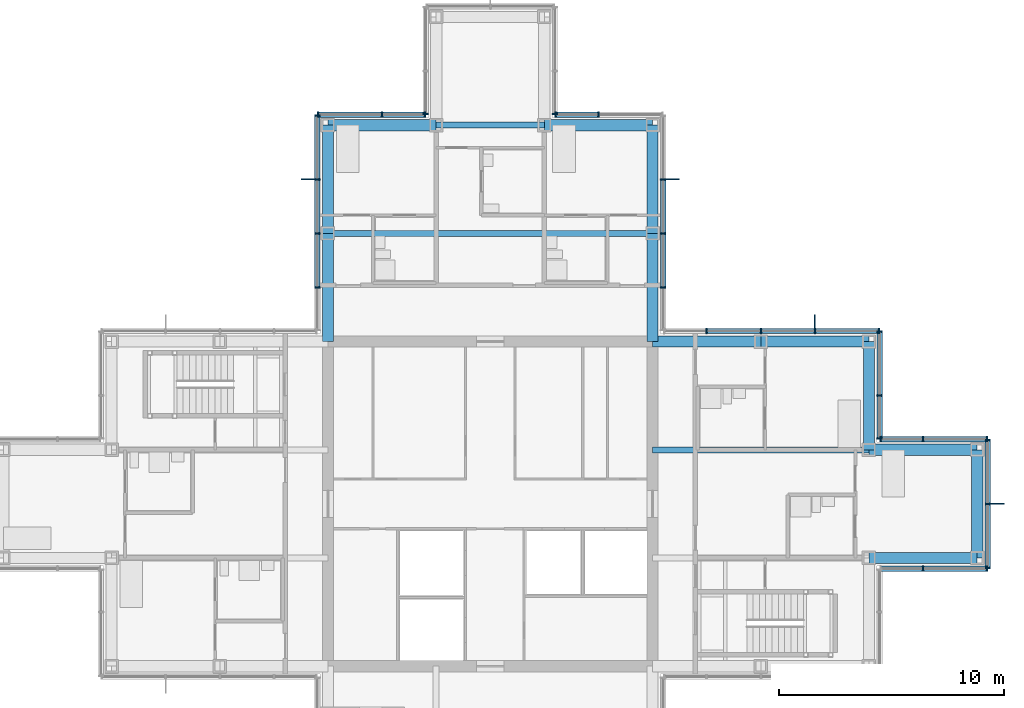
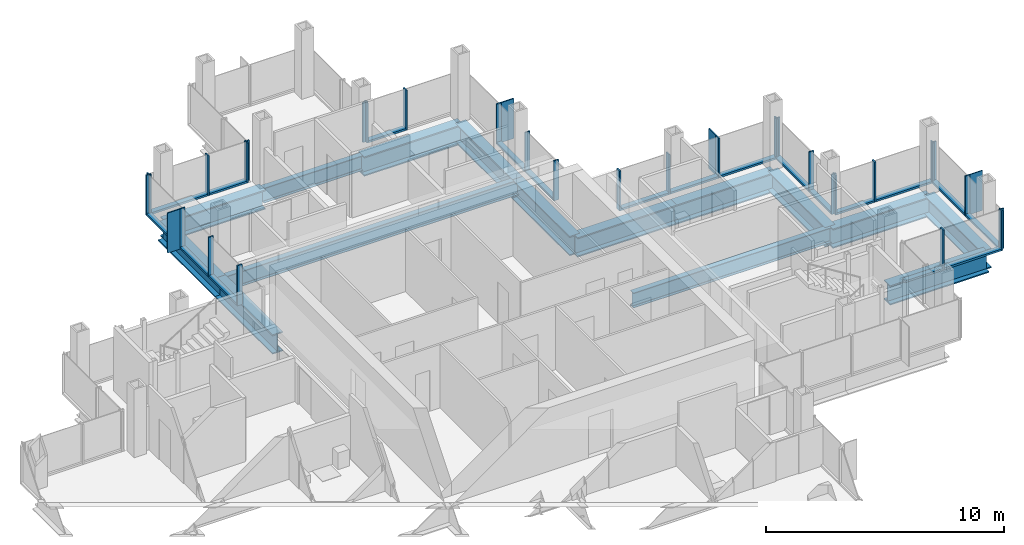
# One storey, part 8 of 17: 52 members, 15 beams, 11 elements without a shape of their own.
"""IFC4 building model written with IfcOpenShell, lengths in metres."""

from ifc_helpers import new_model, si_unit, direction, frame, origin, origin_2d, place, context, subcontext, project, spatial, rectangle, i_section, extrude, material, material_profile, profile_set, type_object, element, aggregate, save


model = new_model("IFC4")

# Units and contexts
model_context = context("Model", 3, precision=1e-05, world=origin(), true_north=direction((0.0, 1.0)))
body_context = subcontext(model_context, "Body", "Model", "MODEL_VIEW")
ifc_project = project(units=[si_unit("LENGTHUNIT", "METRE"), si_unit("AREAUNIT", "SQUARE_METRE"), si_unit("VOLUMEUNIT", "CUBIC_METRE"), si_unit("PLANEANGLEUNIT", "RADIAN"), si_unit("MASSUNIT", "GRAM", prefix="KILO")], contexts=[model_context])

# Site, building, storey
site_placement = place(None, origin())
site = spatial("IfcSite", under=ifc_project, at=site_placement, CompositionType="ELEMENT")
building_placement = place(site_placement, origin())
building = spatial("IfcBuilding", under=site, at=building_placement, Name="Kvirike Care Tower", CompositionType="ELEMENT")
storey_placement = place(building_placement, frame((0.0, 0.0, 186.5)))
storey = spatial("IfcBuildingStorey", under=building, at=storey_placement, Name="L51", CompositionType="ELEMENT", Elevation=186.5)

# Curtain wall, member
ifc_material_1 = material(Name="Anodised aluminium stick system", Category="aluminium")
curtain_wall_type = type_object("IfcCurtainWallType", Name="CW-C STICK CURTAIN WALL", PredefinedType="NOTDEFINED", material=ifc_material_1)
curtain_wall_1_placement = place(storey_placement, origin())
curtain_wall_1 = element("IfcCurtainWall", 1, at=curtain_wall_1_placement, inside=storey, type_object=curtain_wall_type, Name="Curtain wall L51 face 4", PredefinedType="NOTDEFINED")
ifc_material_2 = material(Name="Bronze anodised aluminium fin", Category="aluminium")
ifc_material_profile_1 = material_profile(ifc_material_2, rectangle(XDim=0.050048828125, YDim=0.60009765625, at=origin_2d()), Name="BRONZE FIN 600")
ifc_profile_set_1 = profile_set([ifc_material_profile_1], Name="Bronze anodised aluminium fin")
member_type_1 = type_object("IfcMemberType", Name="BRONZE FIN 600", PredefinedType="USERDEFINED", material=ifc_profile_set_1)
member_1_placement = place(storey_placement, frame((44.090087890625, 36.0, 0.0), z_axis=(0.0, 0.0, 1.0), x_axis=(0.0, 1.0, 0.0)))
member_1 = element("IfcMember", 2, at=member_1_placement, type_object=member_type_1, Name="Bronze fin L51 face 4.2", ObjectType="FIN", PredefinedType="USERDEFINED", context=body_context, shape_type="SweptSolid", body=[
    extrude(rectangle(XDim=0.050048828125, YDim=0.60009765625, at=origin_2d()), origin(), (0.0, 0.0, 1.0), 2.050048828125),
])

curtain_wall_2_placement = place(storey_placement, origin())
curtain_wall_2 = element("IfcCurtainWall", 3, at=curtain_wall_2_placement, inside=storey, type_object=curtain_wall_type, Name="Curtain wall L51 face 7", PredefinedType="NOTDEFINED")
member_2_placement = place(storey_placement, frame((36.0, 44.090087890625, 0.0), z_axis=(0.0, 0.0, 1.0), x_axis=(-1.0, 0.0, 0.0)))
member_2 = element("IfcMember", 4, at=member_2_placement, type_object=member_type_1, Name="Bronze fin L51 face 7.2", ObjectType="FIN", PredefinedType="USERDEFINED", context=body_context, shape_type="SweptSolid", body=[
    extrude(rectangle(XDim=0.050048828125, YDim=0.60009765625, at=origin_2d()), origin(), (0.0, 0.0, 1.0), 2.050048828125),
])

curtain_wall_3_placement = place(storey_placement, origin())
curtain_wall_3 = element("IfcCurtainWall", 5, at=curtain_wall_3_placement, inside=storey, type_object=curtain_wall_type, Name="Curtain wall L51 face 8", PredefinedType="NOTDEFINED")
member_3_placement = place(storey_placement, frame((29.68994140625, 50.39990234375, 0.0), z_axis=(0.0, 0.0, 1.0), x_axis=(0.0, 1.0, 0.0)))
member_3 = element("IfcMember", 6, at=member_3_placement, type_object=member_type_1, Name="Bronze fin L51 face 8.4", ObjectType="FIN", PredefinedType="USERDEFINED", context=body_context, shape_type="SweptSolid", body=[
    extrude(rectangle(XDim=0.050048828125, YDim=0.60009765625, at=origin_2d()), origin(), (0.0, 0.0, 1.0), 2.050048828125),
])

curtain_wall_4_placement = place(storey_placement, origin())
curtain_wall_4 = element("IfcCurtainWall", 7, at=curtain_wall_4_placement, inside=storey, type_object=curtain_wall_type, Name="Curtain wall L51 face 14", PredefinedType="NOTDEFINED")
member_4_placement = place(storey_placement, frame((13.510009765625, 50.39990234375, 0.0), z_axis=(0.0, 0.0, 1.0), x_axis=(0.0, -1.0, 0.0)))
member_4 = element("IfcMember", 8, at=member_4_placement, type_object=member_type_1, Name="Bronze fin L51 face 14.2", ObjectType="FIN", PredefinedType="USERDEFINED", context=body_context, shape_type="SweptSolid", body=[
    extrude(rectangle(XDim=0.050048828125, YDim=0.60009765625, at=origin_2d()), origin(), (0.0, 0.0, 1.0), 2.050048828125),
])

# Curtain wall, members
curtain_wall_5_placement = place(storey_placement, origin())
curtain_wall_5 = element("IfcCurtainWall", 9, at=curtain_wall_5_placement, inside=storey, type_object=curtain_wall_type, Name="Curtain wall L51 face 3", PredefinedType="NOTDEFINED")
ifc_material_3 = material(Name="Bronze anodised aluminium mullion", Category="aluminium")
ifc_material_profile_2 = material_profile(ifc_material_3, rectangle(XDim=0.06494140625, YDim=0.239990234375, at=origin_2d()), Name="CW-C MULLION 65x240")
ifc_profile_set_2 = profile_set([ifc_material_profile_2], Name="Bronze anodised aluminium mullion")
member_type_2 = type_object("IfcMemberType", Name="CW-C MULLION 65x240", PredefinedType="MULLION", material=ifc_profile_set_2)
member_5_placement = place(storey_placement, frame((40.800048828125, 33.1298828125, 0.0), z_axis=(0.0, 0.0, 1.0), x_axis=(1.0, 0.0, 0.0)))
member_5 = element("IfcMember", 10, at=member_5_placement, type_object=member_type_2, Name="CW-C mullion L51 face 3.2", PredefinedType="MULLION", context=body_context, shape_type="SweptSolid", body=[
    extrude(rectangle(XDim=0.06494140625, YDim=0.239990234375, at=origin_2d()), origin(), (0.0, 0.0, 1.0), 2.050048828125),
])
member_6_placement = place(storey_placement, frame((43.637451171875, 33.1298828125, 0.0), z_axis=(0.0, 0.0, 1.0), x_axis=(1.0, 0.0, 0.0)))
member_6 = element("IfcMember", 11, at=member_6_placement, type_object=member_type_2, Name="CW-C mullion L51 face 3.3", PredefinedType="MULLION", context=body_context, shape_type="SweptSolid", body=[
    extrude(rectangle(XDim=0.06494140625, YDim=0.239990234375, at=origin_2d()), origin(), (0.0, 0.0, 1.0), 2.050048828125),
])

# Member
member_7_placement = place(storey_placement, frame((43.669921875, 33.16259765625, 0.0), z_axis=(0.0, 0.0, 1.0), x_axis=(0.0, 1.0, 0.0)))
member_7 = element("IfcMember", 12, at=member_7_placement, type_object=member_type_2, Name="CW-C mullion L51 face 4.1", PredefinedType="MULLION", context=body_context, shape_type="SweptSolid", body=[
    extrude(rectangle(XDim=0.06494140625, YDim=0.239990234375, at=origin_2d()), origin(), (0.0, 0.0, 1.0), 2.050048828125),
])

member_8_placement = place(storey_placement, frame((43.669921875, 36.0, 0.0), z_axis=(0.0, 0.0, 1.0), x_axis=(0.0, 1.0, 0.0)))
member_8 = element("IfcMember", 13, at=member_8_placement, type_object=member_type_2, Name="CW-C mullion L51 face 4.2", PredefinedType="MULLION", context=body_context, shape_type="SweptSolid", body=[
    extrude(rectangle(XDim=0.06494140625, YDim=0.239990234375, at=origin_2d()), origin(), (0.0, 0.0, 1.0), 2.050048828125),
])

member_9_placement = place(storey_placement, frame((43.669921875, 38.83740234375, 0.0), z_axis=(0.0, 0.0, 1.0), x_axis=(0.0, 1.0, 0.0)))
member_9 = element("IfcMember", 14, at=member_9_placement, type_object=member_type_2, Name="CW-C mullion L51 face 4.3", PredefinedType="MULLION", context=body_context, shape_type="SweptSolid", body=[
    extrude(rectangle(XDim=0.06494140625, YDim=0.239990234375, at=origin_2d()), origin(), (0.0, 0.0, 1.0), 2.050048828125),
])

# Curtain wall, members
curtain_wall_6_placement = place(storey_placement, origin())
curtain_wall_6 = element("IfcCurtainWall", 15, at=curtain_wall_6_placement, inside=storey, type_object=curtain_wall_type, Name="Curtain wall L51 face 5", PredefinedType="NOTDEFINED")
member_10_placement = place(storey_placement, frame((43.637451171875, 38.8701171875, 0.0), z_axis=(0.0, 0.0, 1.0), x_axis=(-1.0, 0.0, 0.0)))
member_10 = element("IfcMember", 16, at=member_10_placement, type_object=member_type_2, Name="CW-C mullion L51 face 5.1", PredefinedType="MULLION", context=body_context, shape_type="SweptSolid", body=[
    extrude(rectangle(XDim=0.06494140625, YDim=0.239990234375, at=origin_2d()), origin(), (0.0, 0.0, 1.0), 2.050048828125),
])
member_11_placement = place(storey_placement, frame((40.800048828125, 38.8701171875, 0.0), z_axis=(0.0, 0.0, 1.0), x_axis=(-1.0, 0.0, 0.0)))
member_11 = element("IfcMember", 17, at=member_11_placement, type_object=member_type_2, Name="CW-C mullion L51 face 5.2", PredefinedType="MULLION", context=body_context, shape_type="SweptSolid", body=[
    extrude(rectangle(XDim=0.06494140625, YDim=0.239990234375, at=origin_2d()), origin(), (0.0, 0.0, 1.0), 2.050048828125),
])
member_12_placement = place(storey_placement, frame((38.902587890625, 38.8701171875, 0.0), z_axis=(0.0, 0.0, 1.0), x_axis=(-1.0, 0.0, 0.0)))
member_12 = element("IfcMember", 18, at=member_12_placement, type_object=member_type_2, Name="CW-C mullion L51 face 5.3", PredefinedType="MULLION", context=body_context, shape_type="SweptSolid", body=[
    extrude(rectangle(XDim=0.06494140625, YDim=0.239990234375, at=origin_2d()), origin(), (0.0, 0.0, 1.0), 2.050048828125),
])

curtain_wall_7_placement = place(storey_placement, origin())
curtain_wall_7 = element("IfcCurtainWall", 19, at=curtain_wall_7_placement, inside=storey, type_object=curtain_wall_type, Name="Curtain wall L51 face 6", PredefinedType="NOTDEFINED")
member_13_placement = place(storey_placement, frame((38.8701171875, 38.902587890625, 0.0), z_axis=(0.0, 0.0, 1.0), x_axis=(0.0, 1.0, 0.0)))
member_13 = element("IfcMember", 20, at=member_13_placement, type_object=member_type_2, Name="CW-C mullion L51 face 6.1", PredefinedType="MULLION", context=body_context, shape_type="SweptSolid", body=[
    extrude(rectangle(XDim=0.06494140625, YDim=0.239990234375, at=origin_2d()), origin(), (0.0, 0.0, 1.0), 2.050048828125),
])
member_14_placement = place(storey_placement, frame((38.8701171875, 40.800048828125, 0.0), z_axis=(0.0, 0.0, 1.0), x_axis=(0.0, 1.0, 0.0)))
member_14 = element("IfcMember", 21, at=member_14_placement, type_object=member_type_2, Name="CW-C mullion L51 face 6.2", PredefinedType="MULLION", context=body_context, shape_type="SweptSolid", body=[
    extrude(rectangle(XDim=0.06494140625, YDim=0.239990234375, at=origin_2d()), origin(), (0.0, 0.0, 1.0), 2.050048828125),
])
member_15_placement = place(storey_placement, frame((38.8701171875, 43.637451171875, 0.0), z_axis=(0.0, 0.0, 1.0), x_axis=(0.0, 1.0, 0.0)))
member_15 = element("IfcMember", 22, at=member_15_placement, type_object=member_type_2, Name="CW-C mullion L51 face 6.3", PredefinedType="MULLION", context=body_context, shape_type="SweptSolid", body=[
    extrude(rectangle(XDim=0.06494140625, YDim=0.239990234375, at=origin_2d()), origin(), (0.0, 0.0, 1.0), 2.050048828125),
])

# Member
member_16_placement = place(storey_placement, frame((38.83740234375, 43.669921875, 0.0), z_axis=(0.0, 0.0, 1.0), x_axis=(-1.0, 0.0, 0.0)))
member_16 = element("IfcMember", 23, at=member_16_placement, type_object=member_type_2, Name="CW-C mullion L51 face 7.1", PredefinedType="MULLION", context=body_context, shape_type="SweptSolid", body=[
    extrude(rectangle(XDim=0.06494140625, YDim=0.239990234375, at=origin_2d()), origin(), (0.0, 0.0, 1.0), 2.050048828125),
])

member_17_placement = place(storey_placement, frame((36.0, 43.669921875, 0.0), z_axis=(0.0, 0.0, 1.0), x_axis=(-1.0, 0.0, 0.0)))
member_17 = element("IfcMember", 24, at=member_17_placement, type_object=member_type_2, Name="CW-C mullion L51 face 7.2", PredefinedType="MULLION", context=body_context, shape_type="SweptSolid", body=[
    extrude(rectangle(XDim=0.06494140625, YDim=0.239990234375, at=origin_2d()), origin(), (0.0, 0.0, 1.0), 2.050048828125),
])

member_18_placement = place(storey_placement, frame((33.60009765625, 43.669921875, 0.0), z_axis=(0.0, 0.0, 1.0), x_axis=(-1.0, 0.0, 0.0)))
member_18 = element("IfcMember", 25, at=member_18_placement, type_object=member_type_2, Name="CW-C mullion L51 face 7.3", PredefinedType="MULLION", context=body_context, shape_type="SweptSolid", body=[
    extrude(rectangle(XDim=0.06494140625, YDim=0.239990234375, at=origin_2d()), origin(), (0.0, 0.0, 1.0), 2.050048828125),
])

member_19_placement = place(storey_placement, frame((31.199951171875, 43.669921875, 0.0), z_axis=(0.0, 0.0, 1.0), x_axis=(-1.0, 0.0, 0.0)))
member_19 = element("IfcMember", 26, at=member_19_placement, type_object=member_type_2, Name="CW-C mullion L51 face 7.4", PredefinedType="MULLION", context=body_context, shape_type="SweptSolid", body=[
    extrude(rectangle(XDim=0.06494140625, YDim=0.239990234375, at=origin_2d()), origin(), (0.0, 0.0, 1.0), 2.050048828125),
])

member_20_placement = place(storey_placement, frame((29.27001953125, 45.60009765625, 0.0), z_axis=(0.0, 0.0, 1.0), x_axis=(0.0, 1.0, 0.0)))
member_20 = element("IfcMember", 27, at=member_20_placement, type_object=member_type_2, Name="CW-C mullion L51 face 8.2", PredefinedType="MULLION", context=body_context, shape_type="SweptSolid", body=[
    extrude(rectangle(XDim=0.06494140625, YDim=0.239990234375, at=origin_2d()), origin(), (0.0, 0.0, 1.0), 2.050048828125),
])

member_21_placement = place(storey_placement, frame((29.27001953125, 48.0, 0.0), z_axis=(0.0, 0.0, 1.0), x_axis=(0.0, 1.0, 0.0)))
member_21 = element("IfcMember", 28, at=member_21_placement, type_object=member_type_2, Name="CW-C mullion L51 face 8.3", PredefinedType="MULLION", context=body_context, shape_type="SweptSolid", body=[
    extrude(rectangle(XDim=0.06494140625, YDim=0.239990234375, at=origin_2d()), origin(), (0.0, 0.0, 1.0), 2.050048828125),
])

member_22_placement = place(storey_placement, frame((29.27001953125, 50.39990234375, 0.0), z_axis=(0.0, 0.0, 1.0), x_axis=(0.0, 1.0, 0.0)))
member_22 = element("IfcMember", 29, at=member_22_placement, type_object=member_type_2, Name="CW-C mullion L51 face 8.4", PredefinedType="MULLION", context=body_context, shape_type="SweptSolid", body=[
    extrude(rectangle(XDim=0.06494140625, YDim=0.239990234375, at=origin_2d()), origin(), (0.0, 0.0, 1.0), 2.050048828125),
])

# Curtain wall, members
curtain_wall_8_placement = place(storey_placement, origin())
curtain_wall_8 = element("IfcCurtainWall", 30, at=curtain_wall_8_placement, inside=storey, type_object=curtain_wall_type, Name="Curtain wall L51 face 9", PredefinedType="NOTDEFINED")
member_23_placement = place(storey_placement, frame((26.39990234375, 53.27001953125, 0.0), z_axis=(0.0, 0.0, 1.0), x_axis=(-1.0, 0.0, 0.0)))
member_23 = element("IfcMember", 31, at=member_23_placement, type_object=member_type_2, Name="CW-C mullion L51 face 9.2", PredefinedType="MULLION", context=body_context, shape_type="SweptSolid", body=[
    extrude(rectangle(XDim=0.06494140625, YDim=0.239990234375, at=origin_2d()), origin(), (0.0, 0.0, 1.0), 2.050048828125),
])
member_24_placement = place(storey_placement, frame((24.50244140625, 53.27001953125, 0.0), z_axis=(0.0, 0.0, 1.0), x_axis=(-1.0, 0.0, 0.0)))
member_24 = element("IfcMember", 32, at=member_24_placement, type_object=member_type_2, Name="CW-C mullion L51 face 9.3", PredefinedType="MULLION", context=body_context, shape_type="SweptSolid", body=[
    extrude(rectangle(XDim=0.06494140625, YDim=0.239990234375, at=origin_2d()), origin(), (0.0, 0.0, 1.0), 2.050048828125),
])

# Curtain wall, member
curtain_wall_9_placement = place(storey_placement, origin())
curtain_wall_9 = element("IfcCurtainWall", 33, at=curtain_wall_9_placement, inside=storey, type_object=curtain_wall_type, Name="Curtain wall L51 face 10", PredefinedType="NOTDEFINED")
member_25_placement = place(storey_placement, frame((24.469970703125, 53.302490234375, 0.0), z_axis=(0.0, 0.0, 1.0), x_axis=(0.0, 1.0, 0.0)))
member_25 = element("IfcMember", 34, at=member_25_placement, type_object=member_type_2, Name="CW-C mullion L51 face 10.1", PredefinedType="MULLION", context=body_context, shape_type="SweptSolid", body=[
    extrude(rectangle(XDim=0.06494140625, YDim=0.239990234375, at=origin_2d()), origin(), (0.0, 0.0, 1.0), 2.050048828125),
])
aggregate(curtain_wall_9, [member_25])

curtain_wall_10_placement = place(storey_placement, origin())
curtain_wall_10 = element("IfcCurtainWall", 35, at=curtain_wall_10_placement, inside=storey, type_object=curtain_wall_type, Name="Curtain wall L51 face 12", PredefinedType="NOTDEFINED")
member_26_placement = place(storey_placement, frame((18.72998046875, 53.302490234375, 0.0), z_axis=(0.0, 0.0, 1.0), x_axis=(0.0, -1.0, 0.0)))
member_26 = element("IfcMember", 36, at=member_26_placement, type_object=member_type_2, Name="CW-C mullion L51 face 12.3", PredefinedType="MULLION", context=body_context, shape_type="SweptSolid", body=[
    extrude(rectangle(XDim=0.06494140625, YDim=0.239990234375, at=origin_2d()), origin(), (0.0, 0.0, 1.0), 2.050048828125),
])
aggregate(curtain_wall_10, [member_26])

# Curtain wall, members
curtain_wall_11_placement = place(storey_placement, origin())
curtain_wall_11 = element("IfcCurtainWall", 37, at=curtain_wall_11_placement, inside=storey, type_object=curtain_wall_type, Name="Curtain wall L51 face 13", PredefinedType="NOTDEFINED")
member_27_placement = place(storey_placement, frame((18.697509765625, 53.27001953125, 0.0), z_axis=(0.0, 0.0, 1.0), x_axis=(-1.0, 0.0, 0.0)))
member_27 = element("IfcMember", 38, at=member_27_placement, type_object=member_type_2, Name="CW-C mullion L51 face 13.1", PredefinedType="MULLION", context=body_context, shape_type="SweptSolid", body=[
    extrude(rectangle(XDim=0.06494140625, YDim=0.239990234375, at=origin_2d()), origin(), (0.0, 0.0, 1.0), 2.050048828125),
])
member_28_placement = place(storey_placement, frame((16.800048828125, 53.27001953125, 0.0), z_axis=(0.0, 0.0, 1.0), x_axis=(-1.0, 0.0, 0.0)))
member_28 = element("IfcMember", 39, at=member_28_placement, type_object=member_type_2, Name="CW-C mullion L51 face 13.2", PredefinedType="MULLION", context=body_context, shape_type="SweptSolid", body=[
    extrude(rectangle(XDim=0.06494140625, YDim=0.239990234375, at=origin_2d()), origin(), (0.0, 0.0, 1.0), 2.050048828125),
])
member_29_placement = place(storey_placement, frame((13.96240234375, 53.27001953125, 0.0), z_axis=(0.0, 0.0, 1.0), x_axis=(-1.0, 0.0, 0.0)))
member_29 = element("IfcMember", 40, at=member_29_placement, type_object=member_type_2, Name="CW-C mullion L51 face 13.3", PredefinedType="MULLION", context=body_context, shape_type="SweptSolid", body=[
    extrude(rectangle(XDim=0.06494140625, YDim=0.239990234375, at=origin_2d()), origin(), (0.0, 0.0, 1.0), 2.050048828125),
])

# Member
member_30_placement = place(storey_placement, frame((13.929931640625, 53.237548828125, 0.0), z_axis=(0.0, 0.0, 1.0), x_axis=(0.0, -1.0, 0.0)))
member_30 = element("IfcMember", 41, at=member_30_placement, type_object=member_type_2, Name="CW-C mullion L51 face 14.1", PredefinedType="MULLION", context=body_context, shape_type="SweptSolid", body=[
    extrude(rectangle(XDim=0.06494140625, YDim=0.239990234375, at=origin_2d()), origin(), (0.0, 0.0, 1.0), 2.050048828125),
])

member_31_placement = place(storey_placement, frame((13.929931640625, 50.39990234375, 0.0), z_axis=(0.0, 0.0, 1.0), x_axis=(0.0, -1.0, 0.0)))
member_31 = element("IfcMember", 42, at=member_31_placement, type_object=member_type_2, Name="CW-C mullion L51 face 14.2", PredefinedType="MULLION", context=body_context, shape_type="SweptSolid", body=[
    extrude(rectangle(XDim=0.06494140625, YDim=0.239990234375, at=origin_2d()), origin(), (0.0, 0.0, 1.0), 2.050048828125),
])

member_32_placement = place(storey_placement, frame((13.929931640625, 48.0, 0.0), z_axis=(0.0, 0.0, 1.0), x_axis=(0.0, -1.0, 0.0)))
member_32 = element("IfcMember", 43, at=member_32_placement, type_object=member_type_2, Name="CW-C mullion L51 face 14.3", PredefinedType="MULLION", context=body_context, shape_type="SweptSolid", body=[
    extrude(rectangle(XDim=0.06494140625, YDim=0.239990234375, at=origin_2d()), origin(), (0.0, 0.0, 1.0), 2.050048828125),
])

member_33_placement = place(storey_placement, frame((13.929931640625, 45.60009765625, 0.0), z_axis=(0.0, 0.0, 1.0), x_axis=(0.0, -1.0, 0.0)))
member_33 = element("IfcMember", 44, at=member_33_placement, type_object=member_type_2, Name="CW-C mullion L51 face 14.4", PredefinedType="MULLION", context=body_context, shape_type="SweptSolid", body=[
    extrude(rectangle(XDim=0.06494140625, YDim=0.239990234375, at=origin_2d()), origin(), (0.0, 0.0, 1.0), 2.050048828125),
])

ifc_material_4 = material(Name="Bronze anodised aluminium transom", Category="aluminium")
ifc_material_profile_3 = material_profile(ifc_material_4, rectangle(XDim=0.239990234375, YDim=0.10009765625, at=origin_2d()), Name="CW-C TRANSOM 240x100")
ifc_profile_set_3 = profile_set([ifc_material_profile_3], Name="Bronze anodised aluminium transom")
member_type_3 = type_object("IfcMemberType", Name="CW-C TRANSOM 240x100", PredefinedType="USERDEFINED", material=ifc_profile_set_3)
member_34_placement = place(storey_placement, frame((38.93505859375, 33.1298828125, 0.050048828125), z_axis=(1.0, 0.0, 0.0), x_axis=(0.0, 1.0, 0.0)))
member_34 = element("IfcMember", 45, at=member_34_placement, type_object=member_type_3, Name="CW-C sill transom L51 face 3.1", ObjectType="TRANSOM", PredefinedType="USERDEFINED", context=body_context, shape_type="SweptSolid", body=[
    extrude(rectangle(XDim=0.239990234375, YDim=0.10009765625, at=origin_2d()), origin(), (0.0, 0.0, 1.0), 1.83251953125),
])

member_35_placement = place(storey_placement, frame((40.83251953125, 33.1298828125, 0.050048828125), z_axis=(1.0, 0.0, 0.0), x_axis=(0.0, 1.0, 0.0)))
member_35 = element("IfcMember", 46, at=member_35_placement, type_object=member_type_3, Name="CW-C sill transom L51 face 3.2", ObjectType="TRANSOM", PredefinedType="USERDEFINED", context=body_context, shape_type="SweptSolid", body=[
    extrude(rectangle(XDim=0.239990234375, YDim=0.10009765625, at=origin_2d()), origin(), (0.0, 0.0, 1.0), 2.7724609375),
])

aggregate(curtain_wall_5, [member_5, member_6, member_34, member_35])

member_36_placement = place(storey_placement, frame((43.669921875, 33.195068359375, 0.050048828125), z_axis=(0.0, 1.0, 0.0), x_axis=(-1.0, 0.0, 0.0)))
member_36 = element("IfcMember", 47, at=member_36_placement, type_object=member_type_3, Name="CW-C sill transom L51 face 4.1", ObjectType="TRANSOM", PredefinedType="USERDEFINED", context=body_context, shape_type="SweptSolid", body=[
    extrude(rectangle(XDim=0.239990234375, YDim=0.10009765625, at=origin_2d()), origin(), (0.0, 0.0, 1.0), 2.7724609375),
])

member_37_placement = place(storey_placement, frame((43.669921875, 36.032470703125, 0.050048828125), z_axis=(0.0, 1.0, 0.0), x_axis=(-1.0, 0.0, 0.0)))
member_37 = element("IfcMember", 48, at=member_37_placement, type_object=member_type_3, Name="CW-C sill transom L51 face 4.2", ObjectType="TRANSOM", PredefinedType="USERDEFINED", context=body_context, shape_type="SweptSolid", body=[
    extrude(rectangle(XDim=0.239990234375, YDim=0.10009765625, at=origin_2d()), origin(), (0.0, 0.0, 1.0), 2.7724609375),
])

aggregate(curtain_wall_1, [member_7, member_8, member_1, member_9, member_36, member_37])

member_38_placement = place(storey_placement, frame((43.60498046875, 38.8701171875, 0.050048828125), z_axis=(-1.0, 0.0, 0.0), x_axis=(0.0, -1.0, 0.0)))
member_38 = element("IfcMember", 49, at=member_38_placement, type_object=member_type_3, Name="CW-C sill transom L51 face 5.1", ObjectType="TRANSOM", PredefinedType="USERDEFINED", context=body_context, shape_type="SweptSolid", body=[
    extrude(rectangle(XDim=0.239990234375, YDim=0.10009765625, at=origin_2d()), origin(), (0.0, 0.0, 1.0), 2.7724609375),
])

member_39_placement = place(storey_placement, frame((40.767578125, 38.8701171875, 0.050048828125), z_axis=(-1.0, 0.0, 0.0), x_axis=(0.0, -1.0, 0.0)))
member_39 = element("IfcMember", 50, at=member_39_placement, type_object=member_type_3, Name="CW-C sill transom L51 face 5.2", ObjectType="TRANSOM", PredefinedType="USERDEFINED", context=body_context, shape_type="SweptSolid", body=[
    extrude(rectangle(XDim=0.239990234375, YDim=0.10009765625, at=origin_2d()), origin(), (0.0, 0.0, 1.0), 1.83251953125),
])

aggregate(curtain_wall_6, [member_10, member_11, member_12, member_38, member_39])

member_40_placement = place(storey_placement, frame((38.8701171875, 38.93505859375, 0.050048828125), z_axis=(0.0, 1.0, 0.0), x_axis=(-1.0, 0.0, 0.0)))
member_40 = element("IfcMember", 51, at=member_40_placement, type_object=member_type_3, Name="CW-C sill transom L51 face 6.1", ObjectType="TRANSOM", PredefinedType="USERDEFINED", context=body_context, shape_type="SweptSolid", body=[
    extrude(rectangle(XDim=0.239990234375, YDim=0.10009765625, at=origin_2d()), origin(), (0.0, 0.0, 1.0), 1.83251953125),
])

member_41_placement = place(storey_placement, frame((38.8701171875, 40.83251953125, 0.050048828125), z_axis=(0.0, 1.0, 0.0), x_axis=(-1.0, 0.0, 0.0)))
member_41 = element("IfcMember", 52, at=member_41_placement, type_object=member_type_3, Name="CW-C sill transom L51 face 6.2", ObjectType="TRANSOM", PredefinedType="USERDEFINED", context=body_context, shape_type="SweptSolid", body=[
    extrude(rectangle(XDim=0.239990234375, YDim=0.10009765625, at=origin_2d()), origin(), (0.0, 0.0, 1.0), 2.7724609375),
])

aggregate(curtain_wall_7, [member_13, member_14, member_15, member_40, member_41])

member_42_placement = place(storey_placement, frame((38.804931640625, 43.669921875, 0.050048828125), z_axis=(-1.0, 0.0, 0.0), x_axis=(0.0, -1.0, 0.0)))
member_42 = element("IfcMember", 53, at=member_42_placement, type_object=member_type_3, Name="CW-C sill transom L51 face 7.1", ObjectType="TRANSOM", PredefinedType="USERDEFINED", context=body_context, shape_type="SweptSolid", body=[
    extrude(rectangle(XDim=0.239990234375, YDim=0.10009765625, at=origin_2d()), origin(), (0.0, 0.0, 1.0), 2.7724609375),
])

member_43_placement = place(storey_placement, frame((35.967529296875, 43.669921875, 0.050048828125), z_axis=(-1.0, 0.0, 0.0), x_axis=(0.0, -1.0, 0.0)))
member_43 = element("IfcMember", 54, at=member_43_placement, type_object=member_type_3, Name="CW-C sill transom L51 face 7.2", ObjectType="TRANSOM", PredefinedType="USERDEFINED", context=body_context, shape_type="SweptSolid", body=[
    extrude(rectangle(XDim=0.239990234375, YDim=0.10009765625, at=origin_2d()), origin(), (0.0, 0.0, 1.0), 2.3349609375),
])

member_44_placement = place(storey_placement, frame((33.5673828125, 43.669921875, 0.050048828125), z_axis=(-1.0, 0.0, 0.0), x_axis=(0.0, -1.0, 0.0)))
member_44 = element("IfcMember", 55, at=member_44_placement, type_object=member_type_3, Name="CW-C sill transom L51 face 7.3", ObjectType="TRANSOM", PredefinedType="USERDEFINED", context=body_context, shape_type="SweptSolid", body=[
    extrude(rectangle(XDim=0.239990234375, YDim=0.10009765625, at=origin_2d()), origin(), (0.0, 0.0, 1.0), 2.3349609375),
])

aggregate(curtain_wall_2, [member_16, member_17, member_2, member_18, member_19, member_42, member_43, member_44])

member_45_placement = place(storey_placement, frame((29.27001953125, 45.632568359375, 0.050048828125), z_axis=(0.0, 1.0, 0.0), x_axis=(-1.0, 0.0, 0.0)))
member_45 = element("IfcMember", 56, at=member_45_placement, type_object=member_type_3, Name="CW-C sill transom L51 face 8.2", ObjectType="TRANSOM", PredefinedType="USERDEFINED", context=body_context, shape_type="SweptSolid", body=[
    extrude(rectangle(XDim=0.239990234375, YDim=0.10009765625, at=origin_2d()), origin(), (0.0, 0.0, 1.0), 2.3349609375),
])

member_46_placement = place(storey_placement, frame((29.27001953125, 48.032470703125, 0.050048828125), z_axis=(0.0, 1.0, 0.0), x_axis=(-1.0, 0.0, 0.0)))
member_46 = element("IfcMember", 57, at=member_46_placement, type_object=member_type_3, Name="CW-C sill transom L51 face 8.3", ObjectType="TRANSOM", PredefinedType="USERDEFINED", context=body_context, shape_type="SweptSolid", body=[
    extrude(rectangle(XDim=0.239990234375, YDim=0.10009765625, at=origin_2d()), origin(), (0.0, 0.0, 1.0), 2.3349609375),
])

aggregate(curtain_wall_3, [member_20, member_21, member_22, member_3, member_45, member_46])

member_47_placement = place(storey_placement, frame((26.367431640625, 53.27001953125, 0.050048828125), z_axis=(-1.0, 0.0, 0.0), x_axis=(0.0, -1.0, 0.0)))
member_47 = element("IfcMember", 58, at=member_47_placement, type_object=member_type_3, Name="CW-C sill transom L51 face 9.2", ObjectType="TRANSOM", PredefinedType="USERDEFINED", context=body_context, shape_type="SweptSolid", body=[
    extrude(rectangle(XDim=0.239990234375, YDim=0.10009765625, at=origin_2d()), origin(), (0.0, 0.0, 1.0), 1.83251953125),
])

aggregate(curtain_wall_8, [member_23, member_24, member_47])

member_48_placement = place(storey_placement, frame((18.6650390625, 53.27001953125, 0.050048828125), z_axis=(-1.0, 0.0, 0.0), x_axis=(0.0, -1.0, 0.0)))
member_48 = element("IfcMember", 59, at=member_48_placement, type_object=member_type_3, Name="CW-C sill transom L51 face 13.1", ObjectType="TRANSOM", PredefinedType="USERDEFINED", context=body_context, shape_type="SweptSolid", body=[
    extrude(rectangle(XDim=0.239990234375, YDim=0.10009765625, at=origin_2d()), origin(), (0.0, 0.0, 1.0), 1.83251953125),
])

member_49_placement = place(storey_placement, frame((16.767578125, 53.27001953125, 0.050048828125), z_axis=(-1.0, 0.0, 0.0), x_axis=(0.0, -1.0, 0.0)))
member_49 = element("IfcMember", 60, at=member_49_placement, type_object=member_type_3, Name="CW-C sill transom L51 face 13.2", ObjectType="TRANSOM", PredefinedType="USERDEFINED", context=body_context, shape_type="SweptSolid", body=[
    extrude(rectangle(XDim=0.239990234375, YDim=0.10009765625, at=origin_2d()), origin(), (0.0, 0.0, 1.0), 2.7724609375),
])

aggregate(curtain_wall_11, [member_27, member_28, member_29, member_48, member_49])

member_50_placement = place(storey_placement, frame((13.929931640625, 53.205078125, 0.050048828125), z_axis=(0.0, -1.0, 0.0), x_axis=(1.0, 0.0, 0.0)))
member_50 = element("IfcMember", 61, at=member_50_placement, type_object=member_type_3, Name="CW-C sill transom L51 face 14.1", ObjectType="TRANSOM", PredefinedType="USERDEFINED", context=body_context, shape_type="SweptSolid", body=[
    extrude(rectangle(XDim=0.239990234375, YDim=0.10009765625, at=origin_2d()), origin(), (0.0, 0.0, 1.0), 2.7724609375),
])

member_51_placement = place(storey_placement, frame((13.929931640625, 50.367431640625, 0.050048828125), z_axis=(0.0, -1.0, 0.0), x_axis=(1.0, 0.0, 0.0)))
member_51 = element("IfcMember", 62, at=member_51_placement, type_object=member_type_3, Name="CW-C sill transom L51 face 14.2", ObjectType="TRANSOM", PredefinedType="USERDEFINED", context=body_context, shape_type="SweptSolid", body=[
    extrude(rectangle(XDim=0.239990234375, YDim=0.10009765625, at=origin_2d()), origin(), (0.0, 0.0, 1.0), 2.3349609375),
])

member_52_placement = place(storey_placement, frame((13.929931640625, 47.967529296875, 0.050048828125), z_axis=(0.0, -1.0, 0.0), x_axis=(1.0, 0.0, 0.0)))
member_52 = element("IfcMember", 63, at=member_52_placement, type_object=member_type_3, Name="CW-C sill transom L51 face 14.3", ObjectType="TRANSOM", PredefinedType="USERDEFINED", context=body_context, shape_type="SweptSolid", body=[
    extrude(rectangle(XDim=0.239990234375, YDim=0.10009765625, at=origin_2d()), origin(), (0.0, 0.0, 1.0), 2.3349609375),
])

aggregate(curtain_wall_4, [member_30, member_31, member_4, member_32, member_33, member_50, member_51, member_52])

# Beams
ifc_material_5 = material(Name="Steel S355", Category="steel")
ifc_material_profile_4 = material_profile(ifc_material_5, i_section(OverallWidth=0.26806640625, OverallDepth=0.77001953125, WebThickness=0.015625, FlangeThickness=0.025390625, FilletRadius=0.01708984375, at=origin_2d()), Name="IPE 750x196")
ifc_profile_set_4 = profile_set([ifc_material_profile_4], Name="Steel S355")
beam_type_1 = type_object("IfcBeamType", Name="FLOOR BEAM IPE 750x196", PredefinedType="BEAM", material=ifc_profile_set_4)
beam_1_placement = place(storey_placement, frame((28.800048828125, 38.39990234375, -0.554931640625), z_axis=(1.0, 0.0, 0.0), x_axis=(0.0, 1.0, 0.0)))
element("IfcBeam", 64, at=beam_1_placement, inside=storey, type_object=beam_type_1, Name="Floor Beam J9-J11 L51", PredefinedType="BEAM", context=body_context, shape_type="SweptSolid", body=[
    extrude(i_section(OverallWidth=0.26806640625, OverallDepth=0.77001953125, WebThickness=0.015625, FlangeThickness=0.025390625, FilletRadius=0.01708984375, at=origin_2d()), origin(), (0.0, 0.0, 1.0), 9.599853515625),
])
beam_2_placement = place(storey_placement, frame((14.39990234375, 48.0, -0.554931640625), z_axis=(1.0, 0.0, 0.0), x_axis=(0.0, 1.0, 0.0)))
element("IfcBeam", 65, at=beam_2_placement, inside=storey, type_object=beam_type_1, Name="Floor Beam L6-L9 L51", PredefinedType="BEAM", context=body_context, shape_type="SweptSolid", body=[
    extrude(i_section(OverallWidth=0.26806640625, OverallDepth=0.77001953125, WebThickness=0.015625, FlangeThickness=0.025390625, FilletRadius=0.01708984375, at=origin_2d()), origin(), (0.0, 0.0, 1.0), 14.400146484375),
])
beam_3_placement = place(storey_placement, frame((19.199951171875, 52.800048828125, -0.554931640625), z_axis=(1.0, 0.0, 0.0), x_axis=(0.0, 1.0, 0.0)))
element("IfcBeam", 66, at=beam_3_placement, inside=storey, type_object=beam_type_1, Name="Floor Beam M7-M8 L51", PredefinedType="BEAM", context=body_context, shape_type="SweptSolid", body=[
    extrude(i_section(OverallWidth=0.26806640625, OverallDepth=0.77001953125, WebThickness=0.015625, FlangeThickness=0.025390625, FilletRadius=0.01708984375, at=origin_2d()), origin(), (0.0, 0.0, 1.0), 4.800048828125),
])
ifc_material_6 = material(Name="Steel S355", Category="steel")
ifc_material_profile_5 = material_profile(ifc_material_6, i_section(OverallWidth=0.5, OverallDepth=1.0, WebThickness=0.030029296875, FlangeThickness=0.06005859375, at=origin_2d()), Name="PG 1000x500x30x60")
ifc_profile_set_5 = profile_set([ifc_material_profile_5], Name="Steel S355")
beam_type_2 = type_object("IfcBeamType", Name="SPANDREL PG 1000x500x30x60", PredefinedType="SPANDREL", material=ifc_profile_set_5)
for number, where, z_axis, x_axis, name in (
    (67, (38.39990234375, 33.60009765625, -0.669921875), (1.0, 0.0, 0.0), (0.0, 1.0, 0.0), "Spandrel H11-H12 L51"),
    (68, (38.39990234375, 38.39990234375, -0.669921875), (1.0, 0.0, 0.0), (0.0, 1.0, 0.0), "Spandrel J11-J12 L51"),
    (69, (28.800048828125, 43.199951171875, -0.669921875), (1.0, 0.0, 0.0), (0.0, 1.0, 0.0), "Spandrel K9-K10 L51"),
):
    element("IfcBeam", number, at=place(storey_placement, frame(where, z_axis=z_axis, x_axis=x_axis)), inside=storey, type_object=beam_type_2, Name=name, PredefinedType="SPANDREL", context=body_context, shape_type="SweptSolid", body=[
        extrude(i_section(OverallWidth=0.5, OverallDepth=1.0, WebThickness=0.030029296875, FlangeThickness=0.06005859375, at=origin_2d()), origin(), (0.0, 0.0, 1.0), 4.800048828125),
    ])
beam_4_placement = place(storey_placement, frame((33.60009765625, 43.199951171875, -0.669921875), z_axis=(1.0, 0.0, 0.0), x_axis=(0.0, 1.0, 0.0)))
element("IfcBeam", 70, at=beam_4_placement, inside=storey, type_object=beam_type_2, Name="Spandrel K10-K11 L51", PredefinedType="SPANDREL", context=body_context, shape_type="SweptSolid", body=[
    extrude(i_section(OverallWidth=0.5, OverallDepth=1.0, WebThickness=0.030029296875, FlangeThickness=0.06005859375, at=origin_2d()), origin(), (0.0, 0.0, 1.0), 4.7998046875),
])
for number, where, z_axis, x_axis, name in (
    (71, (14.39990234375, 52.800048828125, -0.669921875), (1.0, 0.0, 0.0), (0.0, 1.0, 0.0), "Spandrel M6-M7 L51"),
    (72, (24.0, 52.800048828125, -0.669921875), (1.0, 0.0, 0.0), (0.0, 1.0, 0.0), "Spandrel M8-M9 L51"),
    (73, (14.39990234375, 43.199951171875, -0.669921875), (0.0, 1.0, 0.0), (-1.0, 0.0, 0.0), "Spandrel K6-L6 L51"),
    (74, (14.39990234375, 48.0, -0.669921875), (0.0, 1.0, 0.0), (-1.0, 0.0, 0.0), "Spandrel L6-M6 L51"),
    (75, (28.800048828125, 43.199951171875, -0.669921875), (0.0, 1.0, 0.0), (-1.0, 0.0, 0.0), "Spandrel K9-L9 L51"),
    (76, (28.800048828125, 48.0, -0.669921875), (0.0, 1.0, 0.0), (-1.0, 0.0, 0.0), "Spandrel L9-M9 L51"),
    (77, (38.39990234375, 38.39990234375, -0.669921875), (0.0, 1.0, 0.0), (-1.0, 0.0, 0.0), "Spandrel J11-K11 L51"),
):
    element("IfcBeam", number, at=place(storey_placement, frame(where, z_axis=z_axis, x_axis=x_axis)), inside=storey, type_object=beam_type_2, Name=name, PredefinedType="SPANDREL", context=body_context, shape_type="SweptSolid", body=[
        extrude(i_section(OverallWidth=0.5, OverallDepth=1.0, WebThickness=0.030029296875, FlangeThickness=0.06005859375, at=origin_2d()), origin(), (0.0, 0.0, 1.0), 4.800048828125),
    ])
beam_5_placement = place(storey_placement, frame((43.199951171875, 33.60009765625, -0.669921875), z_axis=(0.0, 1.0, 0.0), x_axis=(-1.0, 0.0, 0.0)))
element("IfcBeam", 78, at=beam_5_placement, inside=storey, type_object=beam_type_2, Name="Spandrel H12-J12 L51", PredefinedType="SPANDREL", context=body_context, shape_type="SweptSolid", body=[
    extrude(i_section(OverallWidth=0.5, OverallDepth=1.0, WebThickness=0.030029296875, FlangeThickness=0.06005859375, at=origin_2d()), origin(), (0.0, 0.0, 1.0), 4.7998046875),
])

save(model, "model.ifc")
